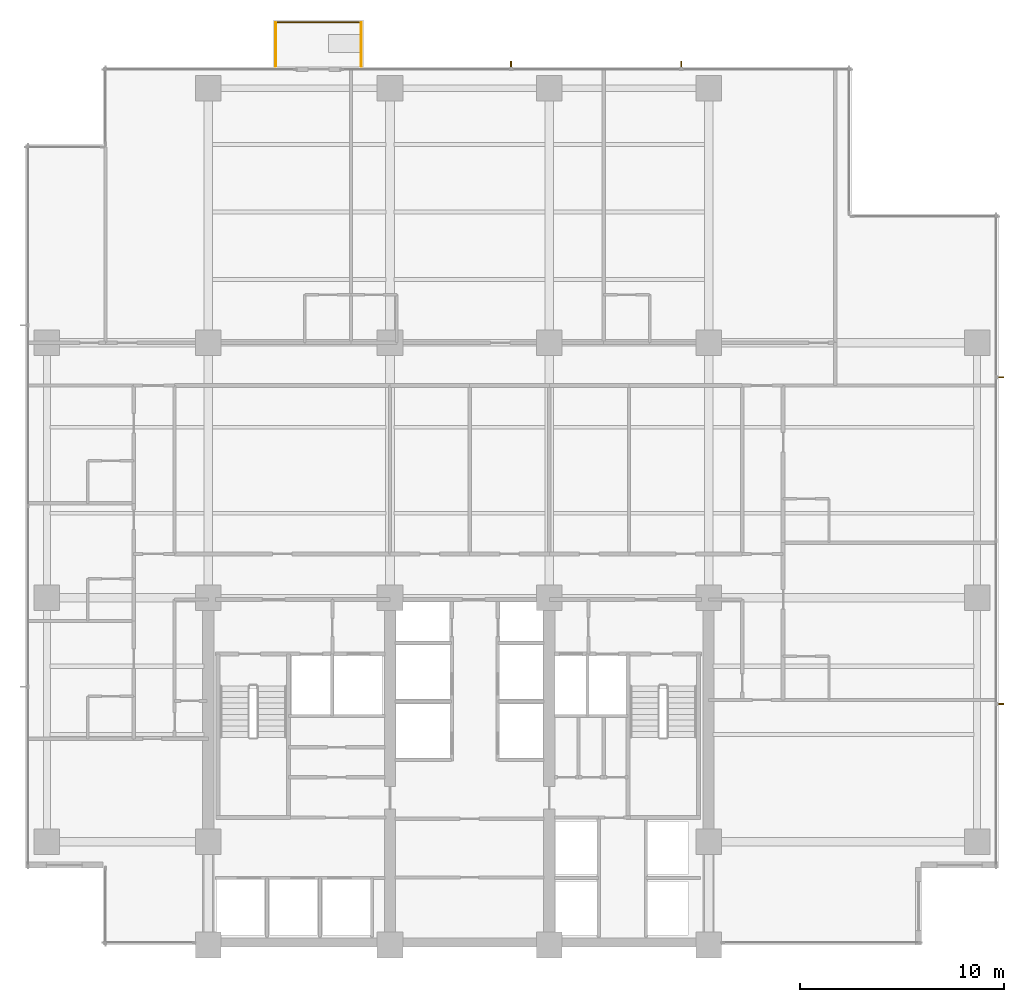
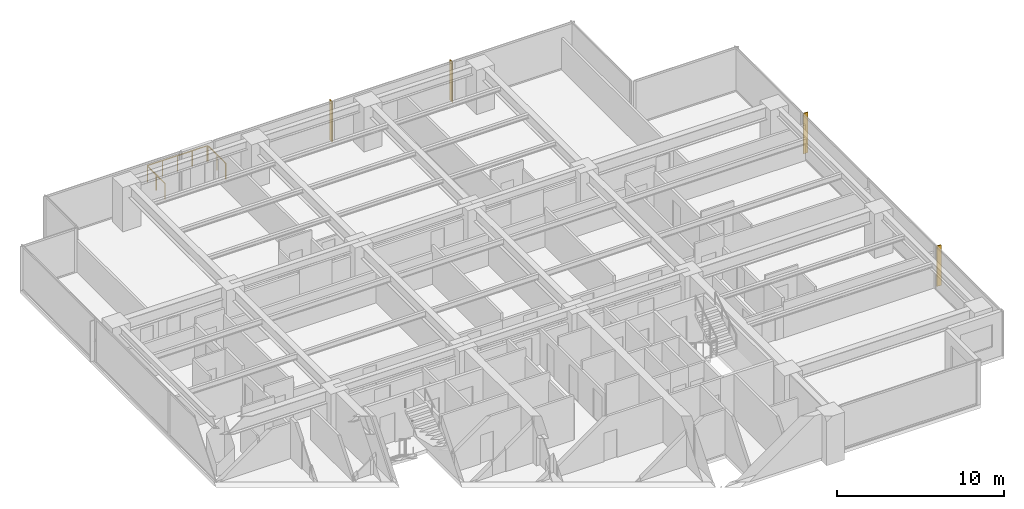
# One storey, part 17 of 17: 4 shading devices, 3 railings.
"""IFC4 building model written with IfcOpenShell, lengths in metres."""

from ifc_helpers import new_model, si_unit, direction, frame, origin, origin_2d, place, context, subcontext, project, spatial, polyline, circle, outline, extrude, material, layer, layer_set, type_object, element, save


model = new_model("IFC4")

# Units and contexts
model_context = context("Model", 3, precision=1e-05, world=origin(), true_north=direction((0.0, 1.0)))
body_context = subcontext(model_context, "Body", "Model", "MODEL_VIEW")
ifc_project = project(units=[si_unit("LENGTHUNIT", "METRE"), si_unit("AREAUNIT", "SQUARE_METRE"), si_unit("VOLUMEUNIT", "CUBIC_METRE"), si_unit("PLANEANGLEUNIT", "RADIAN"), si_unit("MASSUNIT", "GRAM", prefix="KILO")], contexts=[model_context])

# Site, building, storey
site_placement = place(None, origin())
site = spatial("IfcSite", under=ifc_project, at=site_placement, CompositionType="ELEMENT")
building_placement = place(site_placement, origin())
building = spatial("IfcBuilding", under=site, at=building_placement, Name="Qalmaran Belvedere Hotel", CompositionType="ELEMENT")
storey_placement = place(building_placement, frame((0.0, 0.0, 116.199951171875)))
storey = spatial("IfcBuildingStorey", under=building, at=storey_placement, Name="L29", CompositionType="ELEMENT", Elevation=116.199951171875)

# Shading devices
ifc_material = material(Name="Anodised Bronze Aluminium", Category="aluminium")
ifc_layer = layer(ifc_material, 0.06494140625, Name="Anodised Bronze Aluminium")
ifc_layer_set = layer_set([ifc_layer], Name="Anodised Bronze Aluminium")
shading_device_type = type_object("IfcShadingDeviceType", Name="FIN-BRNZ-300", PredefinedType="USERDEFINED", material=ifc_layer_set)
shading_device_1_placement = place(storey_placement, frame((0.0, 0.0, 0.16015625)))
element("IfcShadingDevice", 1, at=shading_device_1_placement, inside=storey, type_object=shading_device_type, Name="L29 Bronze Fin 1", ObjectType="FIN", PredefinedType="USERDEFINED", context=body_context, shape_type="SweptSolid", body=[
    extrude(outline(polyline([(58.969970703125, 15.267578125), (59.27001953125, 15.267578125), (59.27001953125, 15.33251953125), (58.969970703125, 15.33251953125), (58.969970703125, 15.267578125)])), origin(), (0.0, 0.0, 1.0), 2.9599609375),
])
shading_device_2_placement = place(storey_placement, frame((0.0, 0.0, 0.16015625)))
element("IfcShadingDevice", 2, at=shading_device_2_placement, inside=storey, type_object=shading_device_type, Name="L29 Bronze Fin 3", ObjectType="FIN", PredefinedType="USERDEFINED", context=body_context, shape_type="SweptSolid", body=[
    extrude(outline(polyline([(58.969970703125, 31.267578125), (59.27001953125, 31.267578125), (59.27001953125, 31.33251953125), (58.969970703125, 31.33251953125), (58.969970703125, 31.267578125)])), origin(), (0.0, 0.0, 1.0), 2.9599609375),
])
shading_device_3_placement = place(storey_placement, frame((0.0, 0.0, 0.16015625)))
element("IfcShadingDevice", 3, at=shading_device_3_placement, inside=storey, type_object=shading_device_type, Name="L29 Bronze Fin 1", ObjectType="FIN", PredefinedType="USERDEFINED", context=body_context, shape_type="SweptSolid", body=[
    extrude(outline(polyline([(43.499267578125, 46.469970703125), (43.499267578125, 46.77001953125), (43.43408203125, 46.77001953125), (43.43408203125, 46.469970703125), (43.499267578125, 46.469970703125)])), origin(), (0.0, 0.0, 1.0), 2.9599609375),
])
shading_device_4_placement = place(storey_placement, frame((0.0, 0.0, 0.16015625)))
element("IfcShadingDevice", 4, at=shading_device_4_placement, inside=storey, type_object=shading_device_type, Name="L29 Bronze Fin 2", ObjectType="FIN", PredefinedType="USERDEFINED", context=body_context, shape_type="SweptSolid", body=[
    extrude(outline(polyline([(35.165771484375, 46.469970703125), (35.165771484375, 46.77001953125), (35.100830078125, 46.77001953125), (35.100830078125, 46.469970703125), (35.165771484375, 46.469970703125)])), origin(), (0.0, 0.0, 1.0), 2.9599609375),
])

# Railings
railing_type = type_object("IfcRailingType", Name="GRD-BAL-1150", PredefinedType="BALUSTRADE", material=ifc_material)
railing_1_placement = place(storey_placement, frame((23.60009765625, 46.534912109375, 0.0)))
element("IfcRailing", 5, at=railing_1_placement, inside=storey, type_object=railing_type, Name="L29 Guardrail BAL-L29-N-1", PredefinedType="BALUSTRADE", context=body_context, shape_type="SweptSolid", body=[
    extrude(circle(Radius=0.02392578125, at=origin_2d()), frame((0.0, 0.0, 1.1259765625), z_axis=(0.0, 1.0, 0.0), x_axis=(-1.0, 0.0, 0.0)), (0.0, 0.0, 1.0), 2.130126953125),
    extrude(circle(Radius=0.02099609375, at=origin_2d()), origin(), (0.0, 0.0, 1.0), 1.101806640625),
    extrude(circle(Radius=0.02099609375, at=origin_2d()), frame((0.0, 1.06494140625, 0.0)), (0.0, 0.0, 1.0), 1.101806640625),
    extrude(circle(Radius=0.02099609375, at=origin_2d()), frame((0.0, 2.130126953125, 0.0)), (0.0, 0.0, 1.0), 1.101806640625),
])
railing_2_placement = place(storey_placement, frame((23.635009765625, 48.699951171875, 0.0)))
element("IfcRailing", 6, at=railing_2_placement, inside=storey, type_object=railing_type, Name="L29 Guardrail BAL-L29-N-2", PredefinedType="BALUSTRADE", context=body_context, shape_type="SweptSolid", body=[
    extrude(circle(Radius=0.02392578125, at=origin_2d()), frame((0.0, 0.0, 1.1259765625), z_axis=(1.0, 0.0, 0.0), x_axis=(0.0, 1.0, 0.0)), (0.0, 0.0, 1.0), 4.1298828125),
    extrude(circle(Radius=0.02099609375, at=origin_2d()), origin(), (0.0, 0.0, 1.0), 1.101806640625),
    extrude(circle(Radius=0.02099609375, at=origin_2d()), frame((1.032470703125, 0.0, 0.0)), (0.0, 0.0, 1.0), 1.101806640625),
    extrude(circle(Radius=0.02099609375, at=origin_2d()), frame((2.06494140625, 0.0, 0.0)), (0.0, 0.0, 1.0), 1.101806640625),
    extrude(circle(Radius=0.02099609375, at=origin_2d()), frame((3.097412109375, 0.0, 0.0)), (0.0, 0.0, 1.0), 1.101806640625),
    extrude(circle(Radius=0.02099609375, at=origin_2d()), frame((4.1298828125, 0.0, 0.0)), (0.0, 0.0, 1.0), 1.101806640625),
])
railing_3_placement = place(storey_placement, frame((27.800048828125, 48.6650390625, 0.0)))
element("IfcRailing", 7, at=railing_3_placement, inside=storey, type_object=railing_type, Name="L29 Guardrail BAL-L29-N-3", PredefinedType="BALUSTRADE", context=body_context, shape_type="SweptSolid", body=[
    extrude(circle(Radius=0.02392578125, at=origin_2d()), frame((0.0, 0.0, 1.1259765625), z_axis=(0.0, -1.0, 0.0), x_axis=(1.0, 0.0, 0.0)), (0.0, 0.0, 1.0), 2.130126953125),
    extrude(circle(Radius=0.02099609375, at=origin_2d()), origin(), (0.0, 0.0, 1.0), 1.101806640625),
    extrude(circle(Radius=0.02099609375, at=origin_2d()), frame((0.0, -1.06494140625, 0.0)), (0.0, 0.0, 1.0), 1.101806640625),
    extrude(circle(Radius=0.02099609375, at=origin_2d()), frame((0.0, -2.130126953125, 0.0)), (0.0, 0.0, 1.0), 1.101806640625),
])

save(model, "model.ifc")
